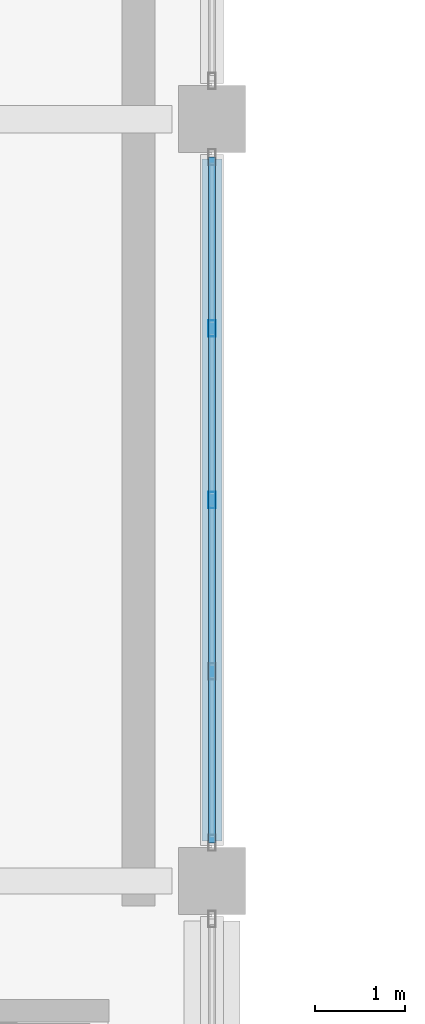
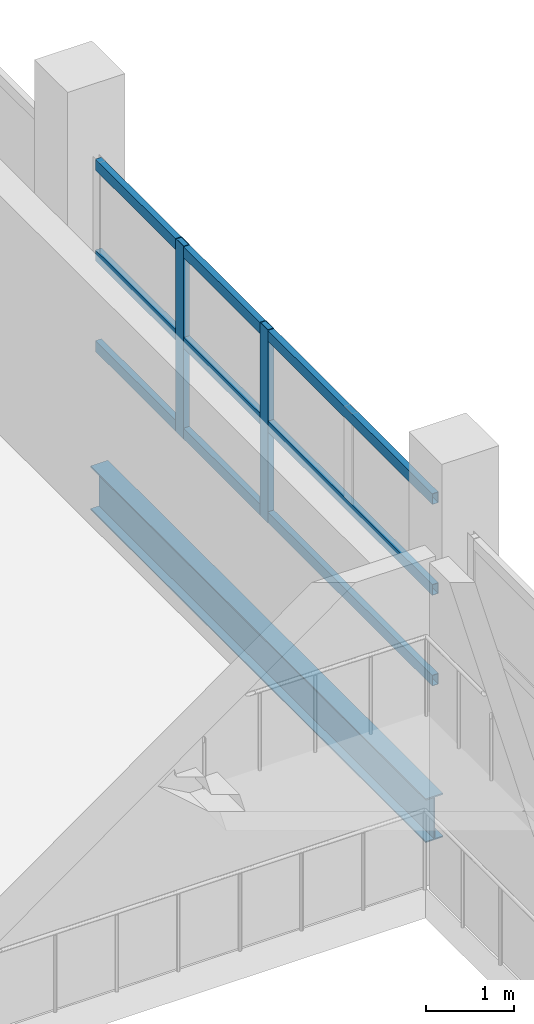
# One storey, part 68 of 117: 5 members, 1 beam, 1 element without a shape of its own.
"""IFC4 building model written with IfcOpenShell, lengths in metres."""

from ifc_helpers import new_model, si_unit, direction, frame, origin, origin_2d, place, context, subcontext, project, spatial, hollow_rectangle, i_section, extrude, material, material_profile, profile_set, type_object, element, aggregate, save


model = new_model("IFC4")

# Units and contexts
model_context = context("Model", 3, precision=1e-05, world=origin(), true_north=direction((0.0, 1.0)))
body_context = subcontext(model_context, "Body", "Model", "MODEL_VIEW")
ifc_project = project(units=[si_unit("LENGTHUNIT", "METRE"), si_unit("AREAUNIT", "SQUARE_METRE"), si_unit("VOLUMEUNIT", "CUBIC_METRE"), si_unit("PLANEANGLEUNIT", "RADIAN"), si_unit("MASSUNIT", "GRAM", prefix="KILO")], contexts=[model_context])

# Site, building, storey
site_placement = place(None, origin())
site = spatial("IfcSite", under=ifc_project, at=site_placement, CompositionType="ELEMENT")
building_placement = place(site_placement, origin())
building = spatial("IfcBuilding", under=site, at=building_placement, Name="Solvento Point Concert Hall", CompositionType="ELEMENT")
storey_placement = place(building_placement, frame((0.0, 0.0, 5.39990234375)))
storey = spatial("IfcBuildingStorey", under=building, at=storey_placement, Name="L01", CompositionType="ELEMENT", Elevation=5.39990234375)

# Beam
ifc_material_1 = material(Name="Structural Steel ASTM A992 Grade 50", Category="steel")
ifc_material_profile_1 = material_profile(ifc_material_1, i_section(OverallWidth=0.228515625, OverallDepth=0.60791015625, WebThickness=0.01123046875, FlangeThickness=0.017333984375, at=origin_2d()), Name="W24X76")
ifc_profile_set_1 = profile_set([ifc_material_profile_1], Name="Structural Steel ASTM A992 Grade 50")
beam_type = type_object("IfcBeamType", Name="Beam_W24X76", PredefinedType="BEAM", material=ifc_profile_set_1)
beam_placement = place(storey_placement, frame((208.800048828125, 8.944091796875, -0.727783203125), z_axis=(0.0, 1.0, 0.0), x_axis=(-1.0, 0.0, 0.0)))
element("IfcBeam", 1, at=beam_placement, inside=storey, type_object=beam_type, Name="Primary girder B-42 L01", PredefinedType="BEAM", context=body_context, shape_type="SweptSolid", body=[
    extrude(i_section(OverallWidth=0.228515625, OverallDepth=0.60791015625, WebThickness=0.01123046875, FlangeThickness=0.017333984375, at=origin_2d()), origin(), (0.0, 0.0, 1.0), 7.61181640625),
])

# Curtain wall, members
ifc_material_2 = material(Name="Anodized Bronze Aluminium", Category="aluminium")
curtain_wall_type = type_object("IfcCurtainWallType", Name="CurtainWall_ChamberCircle", PredefinedType="USERDEFINED", material=ifc_material_2)
curtain_wall_placement = place(storey_placement, origin())
curtain_wall = element("IfcCurtainWall", 2, at=curtain_wall_placement, inside=storey, type_object=curtain_wall_type, Name="Unitised curtain wall CW-32 UCW-L01-084", ObjectType="UNITISED CURTAIN WALL", PredefinedType="USERDEFINED")
ifc_material_3 = material(Name="Anodized Bronze Aluminium", Category="aluminium")
ifc_material_profile_2 = material_profile(ifc_material_3, hollow_rectangle(XDim=0.080078125, YDim=0.179931640625, WallThickness=0.00390625, at=origin_2d()), Name="CW-MUL-80X180")
ifc_profile_set_2 = profile_set([ifc_material_profile_2], Name="Anodized Bronze Aluminium")
member_type_1 = type_object("IfcMemberType", Name="Mullion_80x180", PredefinedType="MULLION", material=ifc_profile_set_2)
member_1_placement = place(storey_placement, frame((208.800048828125, 12.75, 1.1201171875), z_axis=(0.0, 0.0, 1.0), x_axis=(1.0, 0.0, 0.0)))
member_1 = element("IfcMember", 3, at=member_1_placement, type_object=member_type_1, Name="Curtain wall mullion ML-01", PredefinedType="MULLION", context=body_context, shape_type="SweptSolid", body=[
    extrude(hollow_rectangle(XDim=0.080078125, YDim=0.179931640625, WallThickness=0.00390625, at=origin_2d()), origin(), (0.0, 0.0, 1.0), 2.675048828125),
])
member_2_placement = place(storey_placement, frame((208.800048828125, 14.66259765625, 1.1201171875), z_axis=(0.0, 0.0, 1.0), x_axis=(1.0, 0.0, 0.0)))
member_2 = element("IfcMember", 4, at=member_2_placement, type_object=member_type_1, Name="Curtain wall mullion ML-01", PredefinedType="MULLION", context=body_context, shape_type="SweptSolid", body=[
    extrude(hollow_rectangle(XDim=0.080078125, YDim=0.179931640625, WallThickness=0.00390625, at=origin_2d()), origin(), (0.0, 0.0, 1.0), 2.675048828125),
])
ifc_material_4 = material(Name="Anodized Bronze Aluminium", Category="aluminium")
ifc_material_profile_3 = material_profile(ifc_material_4, hollow_rectangle(XDim=0.080078125, YDim=0.14990234375, WallThickness=0.00390625, at=origin_2d()), Name="CW-TRN-80X150")
ifc_profile_set_3 = profile_set([ifc_material_profile_3], Name="Anodized Bronze Aluminium")
member_type_2 = type_object("IfcMemberType", Name="Transom_80x150", PredefinedType="USERDEFINED", material=ifc_profile_set_3)
member_3_placement = place(storey_placement, frame((208.800048828125, 8.925048828125, 1.2001953125), z_axis=(0.0, 1.0, 0.0), x_axis=(-1.0, 0.0, 0.0)))
member_3 = element("IfcMember", 5, at=member_3_placement, type_object=member_type_2, Name="Curtain wall transom TR-01", ObjectType="TRANSOM", PredefinedType="USERDEFINED", context=body_context, shape_type="SweptSolid", body=[
    extrude(hollow_rectangle(XDim=0.080078125, YDim=0.14990234375, WallThickness=0.00390625, at=origin_2d()), origin(), (0.0, 0.0, 1.0), 7.64990234375),
])
member_4_placement = place(storey_placement, frame((208.800048828125, 8.925048828125, 2.45751953125), z_axis=(0.0, 1.0, 0.0), x_axis=(-1.0, 0.0, 0.0)))
member_4 = element("IfcMember", 6, at=member_4_placement, type_object=member_type_2, Name="Curtain wall transom TR-01", ObjectType="TRANSOM", PredefinedType="USERDEFINED", context=body_context, shape_type="SweptSolid", body=[
    extrude(hollow_rectangle(XDim=0.080078125, YDim=0.14990234375, WallThickness=0.00390625, at=origin_2d()), origin(), (0.0, 0.0, 1.0), 7.64990234375),
])
member_5_placement = place(storey_placement, frame((208.800048828125, 8.925048828125, 3.715087890625), z_axis=(0.0, 1.0, 0.0), x_axis=(-1.0, 0.0, 0.0)))
member_5 = element("IfcMember", 7, at=member_5_placement, type_object=member_type_2, Name="Curtain wall transom TR-01", ObjectType="TRANSOM", PredefinedType="USERDEFINED", context=body_context, shape_type="SweptSolid", body=[
    extrude(hollow_rectangle(XDim=0.080078125, YDim=0.14990234375, WallThickness=0.00390625, at=origin_2d()), origin(), (0.0, 0.0, 1.0), 7.64990234375),
])
aggregate(curtain_wall, [member_1, member_2, member_3, member_4, member_5])

save(model, "model.ifc")
